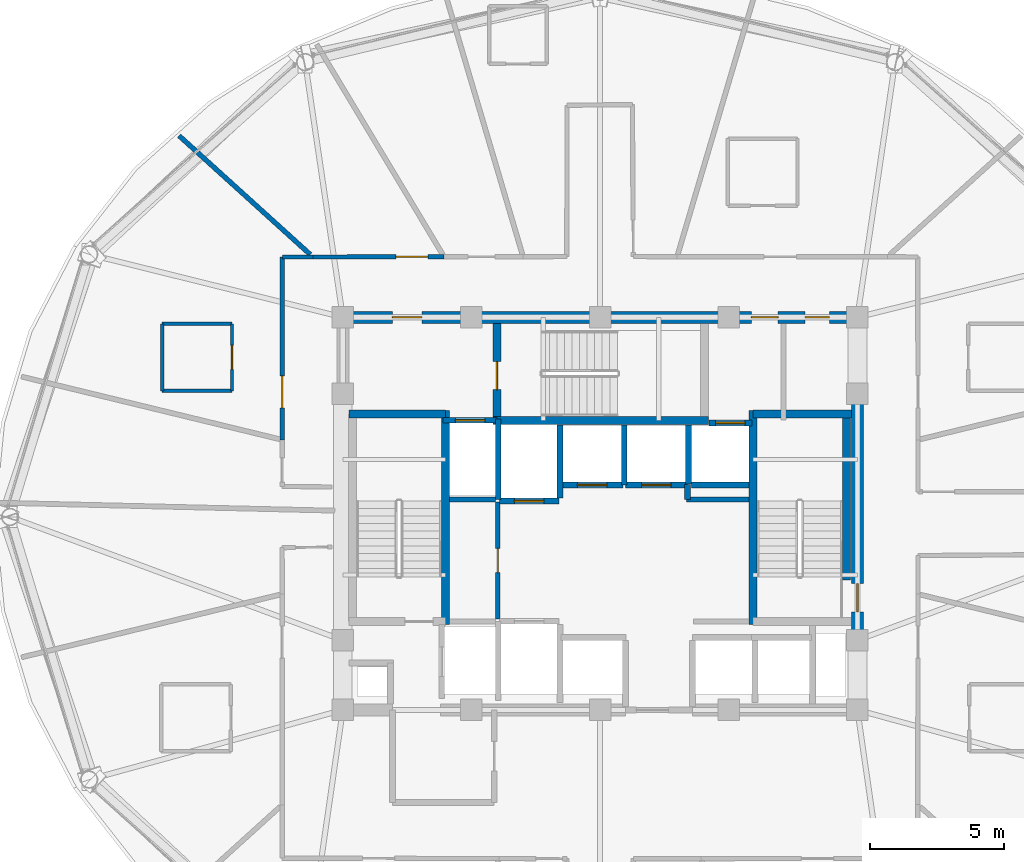
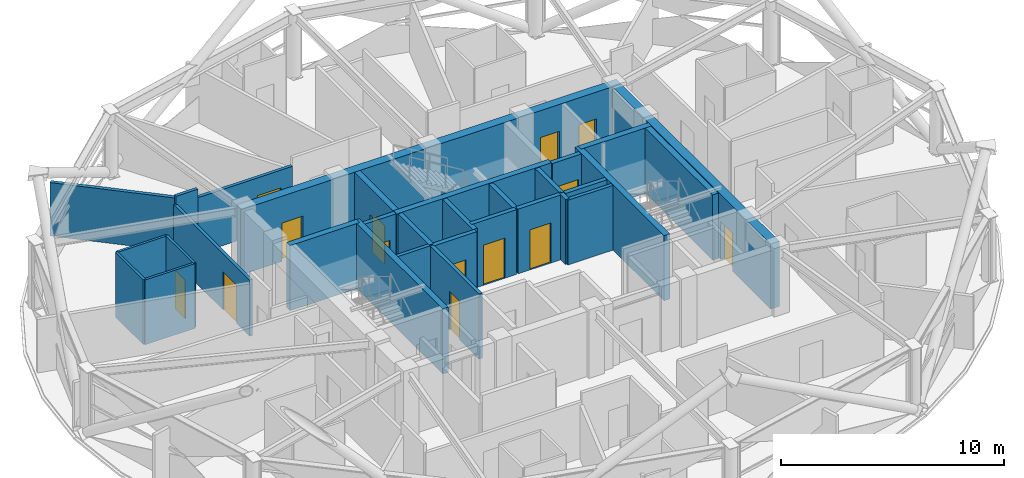
# One storey, part 23 of 29: 31 walls, 14 doors, 14 openings.
"""IFC4 building model written with IfcOpenShell, lengths in metres."""

from ifc_helpers import new_model, si_unit, direction, frame, frame_2d, origin, place, context, subcontext, project, spatial, rectangle, extrude, material, layer, layer_set, type_object, element, fill, save


model = new_model("IFC4")

# Units and contexts
model_context = context("Model", 3, precision=1e-05, world=origin(), true_north=direction((0.0, 1.0)))
body_context = subcontext(model_context, "Body", "Model", "MODEL_VIEW")
ifc_project = project(units=[si_unit("LENGTHUNIT", "METRE"), si_unit("AREAUNIT", "SQUARE_METRE"), si_unit("VOLUMEUNIT", "CUBIC_METRE"), si_unit("PLANEANGLEUNIT", "RADIAN"), si_unit("MASSUNIT", "GRAM", prefix="KILO")], contexts=[model_context])

# Site, building, storey
site_placement = place(None, origin())
site = spatial("IfcSite", under=ifc_project, at=site_placement, CompositionType="ELEMENT")
building_placement = place(site_placement, origin())
building = spatial("IfcBuilding", under=site, at=building_placement, Name="Vantalir Tower", CompositionType="ELEMENT")
storey_placement = place(building_placement, frame((0.0, 0.0, 227.39990234375)))
storey = spatial("IfcBuildingStorey", under=building, at=storey_placement, Name="L57", CompositionType="ELEMENT", Elevation=227.39990234375)

# Walls
ifc_material_1 = material(Name="Moisture-resistant en-suite partition", Category="gypsum")
ifc_layer_1 = layer(ifc_material_1, 0.125)
ifc_layer_set_1 = layer_set([ifc_layer_1], Name="Moisture-resistant en-suite partition")
wall_type_1 = type_object("IfcWallType", Name="WL-BATH-125", PredefinedType="PARTITIONING", material=ifc_layer_set_1)
for number, where, z_axis, x_axis, name in (
    (1, (15.1630859375, 29.7041015625, 0.0), (0.0, 0.0, 1.0), (1.0, 0.0, 0.0), "L57 En-suite 06 South Wall"),
    (2, (15.1630859375, 32.2041015625, 0.0), (0.0, 0.0, 1.0), (1.0, 0.0, 0.0), "L57 En-suite 06 North Wall"),
):
    element("IfcWall", number, at=place(storey_placement, frame(where, z_axis=z_axis, x_axis=x_axis)), inside=storey, type_object=wall_type_1, Name=name, PredefinedType="PARTITIONING", context=body_context, shape_type="SweptSolid", body=[
        extrude(rectangle(XDim=2.599853515625, YDim=0.125, at=frame_2d((1.2998046875, 0.0))), origin(), (0.0, 0.0, 1.0), 3.550048828125),
    ])
wall_1_placement = place(storey_placement, frame((15.1630859375, 29.7041015625, 0.0), z_axis=(0.0, 0.0, 1.0), x_axis=(0.0, 1.0, 0.0)))
element("IfcWall", 3, at=wall_1_placement, inside=storey, type_object=wall_type_1, Name="L57 En-suite 06 West Wall", PredefinedType="PARTITIONING", context=body_context, shape_type="SweptSolid", body=[
    extrude(rectangle(XDim=2.5, YDim=0.125, at=frame_2d((1.25, 0.0))), origin(), (0.0, 0.0, 1.0), 3.550048828125),
])

# Wall, opening, door
wall_2_placement = place(storey_placement, frame((17.762939453125, 29.7041015625, 0.0), z_axis=(0.0, 0.0, 1.0), x_axis=(0.0, 1.0, 0.0)))
wall_2 = element("IfcWall", 4, at=wall_2_placement, inside=storey, type_object=wall_type_1, Name="L57 En-suite 06 East Wall", PredefinedType="PARTITIONING", context=body_context, shape_type="SweptSolid", body=[
    extrude(rectangle(XDim=2.5, YDim=0.125, at=frame_2d((1.25, 0.0))), origin(), (0.0, 0.0, 1.0), 3.550048828125),
])
opening_1_placement = place(wall_2_placement, frame((0.800048828125, 0.0, 0.0)))
opening_1 = element("IfcOpeningElement", 5, at=opening_1_placement, cuts=wall_2, Name="Opening D-WC", PredefinedType="OPENING", context=body_context, shape_type="SweptSolid", body=[
    extrude(rectangle(XDim=0.89990234375, YDim=2.10009765625, at=frame_2d((0.449951171875, 1.050048828125))), frame((0.0, 0.072509765625, 0.0), z_axis=(0.0, -1.0, 0.0), x_axis=(1.0, 0.0, 0.0)), (0.0, 0.0, 1.0), 0.14501953125),
])
ifc_material_2 = material(Name="Moisture-resistant hardwood door", Category="wood")
door_type_1 = type_object("IfcDoorType", Name="DR-ENSUITE-900", OperationType="NOTDEFINED", PredefinedType="DOOR", material=ifc_material_2)
door_1_placement = place(opening_1_placement, origin())
door_1 = element("IfcDoor", 6, at=door_1_placement, inside=storey, type_object=door_type_1, Name="L57 En-suite 06 Door", OperationType="SINGLE_SWING_RIGHT", OverallHeight=2.10009765625, OverallWidth=0.89990234375, PredefinedType="DOOR", context=body_context, shape_type="SweptSolid", body=[
    extrude(rectangle(XDim=0.89990234375, YDim=2.10009765625, at=frame_2d((0.449951171875, 1.050048828125))), frame((0.0, 0.02490234375, 0.0), z_axis=(0.0, -1.0, 0.0), x_axis=(1.0, 0.0, 0.0)), (0.0, 0.0, 1.0), 0.050048828125),
])
fill(opening_1, door_1)

# Wall, openings, doors
ifc_material_3 = material(Name="Concrete C50/60", Category="concrete")
ifc_layer_2 = layer(ifc_material_3, 0.449951171875)
ifc_layer_set_2 = layer_set([ifc_layer_2], Name="Concrete C50/60")
wall_type_2 = type_object("IfcWallType", Name="WL-CORE-450", PredefinedType="SHEAR", material=ifc_layer_set_2)
wall_3_placement = place(storey_placement, frame((21.675048828125, 32.449951171875, 0.0), z_axis=(0.0, 0.0, 1.0), x_axis=(1.0, 0.0, 0.0)))
wall_3 = element("IfcWall", 7, at=wall_3_placement, inside=storey, type_object=wall_type_2, Name="L57 Core Shear Wall North", PredefinedType="SHEAR", context=body_context, shape_type="SweptSolid", body=[
    extrude(rectangle(XDim=19.64990234375, YDim=0.449951171875, at=frame_2d((9.824951171875, 0.0))), origin(), (0.0, 0.0, 1.0), 3.570068359375),
])
opening_2_placement = place(wall_3_placement, frame((2.074951171875, 0.0, 0.0)))
opening_2 = element("IfcOpeningElement", 8, at=opening_2_placement, cuts=wall_3, Name="Opening D-FFL", PredefinedType="OPENING", context=body_context, shape_type="SweptSolid", body=[
    extrude(rectangle(XDim=1.10009765625, YDim=2.10009765625, at=frame_2d((0.550048828125, 1.050048828125))), frame((0.0, 0.23486328125, 0.0), z_axis=(0.0, -1.0, 0.0), x_axis=(1.0, 0.0, 0.0)), (0.0, 0.0, 1.0), 0.469970703125),
])
opening_3_placement = place(wall_3_placement, frame((15.465087890625, 0.0, 0.0)))
opening_3 = element("IfcOpeningElement", 9, at=opening_3_placement, cuts=wall_3, Name="Opening D-GUEST", PredefinedType="OPENING", context=body_context, shape_type="SweptSolid", body=[
    extrude(rectangle(XDim=1.0, YDim=2.10009765625, at=frame_2d((0.5, 1.050048828125))), frame((0.0, 0.23486328125, 0.0), z_axis=(0.0, -1.0, 0.0), x_axis=(1.0, 0.0, 0.0)), (0.0, 0.0, 1.0), 0.469970703125),
])
opening_4_placement = place(wall_3_placement, frame((17.47509765625, 0.0, 0.0)))
opening_4 = element("IfcOpeningElement", 10, at=opening_4_placement, cuts=wall_3, Name="Opening D-CR", PredefinedType="OPENING", context=body_context, shape_type="SweptSolid", body=[
    extrude(rectangle(XDim=0.89990234375, YDim=2.10009765625, at=frame_2d((0.449951171875, 1.050048828125))), frame((0.0, 0.23486328125, 0.0), z_axis=(0.0, -1.0, 0.0), x_axis=(1.0, 0.0, 0.0)), (0.0, 0.0, 1.0), 0.469970703125),
])
ifc_material_4 = material(Name="Fire-rated steel core service door", Category="steel")
door_type_2 = type_object("IfcDoorType", Name="DR-CORE-SERV-900", OperationType="NOTDEFINED", PredefinedType="DOOR", material=ifc_material_4)
door_2_placement = place(opening_4_placement, frame((0.89990234375, 0.0, 0.0), z_axis=(0.0, 0.0, 1.0), x_axis=(-1.0, 0.0, 0.0)))
door_2 = element("IfcDoor", 11, at=door_2_placement, inside=storey, type_object=door_type_2, Name="L57 Housekeeping and Linen Room Door", OperationType="SINGLE_SWING_RIGHT", OverallHeight=2.10009765625, OverallWidth=0.89990234375, PredefinedType="DOOR", context=body_context, shape_type="SweptSolid", body=[
    extrude(rectangle(XDim=0.89990234375, YDim=2.10009765625, at=frame_2d((0.449951171875, 1.050048828125))), frame((0.0, 0.02490234375, 0.0), z_axis=(0.0, -1.0, 0.0), x_axis=(1.0, 0.0, 0.0)), (0.0, 0.0, 1.0), 0.050048828125),
])
fill(opening_4, door_2)
ifc_material_5 = material(Name="Fire-rated acoustic steel door", Category="steel")
door_type_3 = type_object("IfcDoorType", Name="DR-FIRE-LOBBY-1100", OperationType="NOTDEFINED", PredefinedType="DOOR", material=ifc_material_5)
door_3_placement = place(opening_2_placement, frame((1.10009765625, 0.0, 0.0), z_axis=(0.0, 0.0, 1.0), x_axis=(-1.0, 0.0, 0.0)))
door_3 = element("IfcDoor", 12, at=door_3_placement, inside=storey, type_object=door_type_3, Name="L57 Firefighting Lobby East Access Door", OperationType="SINGLE_SWING_LEFT", OverallHeight=2.10009765625, OverallWidth=1.10009765625, PredefinedType="DOOR", context=body_context, shape_type="SweptSolid", body=[
    extrude(rectangle(XDim=1.10009765625, YDim=2.10009765625, at=frame_2d((0.550048828125, 1.050048828125))), frame((0.0, 0.02490234375, 0.0), z_axis=(0.0, -1.0, 0.0), x_axis=(1.0, 0.0, 0.0)), (0.0, 0.0, 1.0), 0.050048828125),
])
fill(opening_2, door_3)
ifc_material_6 = material(Name="Solid-core teak veneer acoustic fire door", Category="wood")
door_type_4 = type_object("IfcDoorType", Name="DR-GUEST-ENTRY-1000", OperationType="NOTDEFINED", PredefinedType="DOOR", material=ifc_material_6)
door_4_placement = place(opening_3_placement, frame((1.0, 0.0, 0.0), z_axis=(0.0, 0.0, 1.0), x_axis=(-1.0, 0.0, 0.0)))
door_4 = element("IfcDoor", 13, at=door_4_placement, inside=storey, type_object=door_type_4, Name="L57 High-Rise Lift Lobby Door", OperationType="SINGLE_SWING_LEFT", OverallHeight=2.10009765625, OverallWidth=1.0, PredefinedType="DOOR", context=body_context, shape_type="SweptSolid", body=[
    extrude(rectangle(XDim=1.0, YDim=2.10009765625, at=frame_2d((0.5, 1.050048828125))), frame((0.0, 0.02490234375, 0.0), z_axis=(0.0, -1.0, 0.0), x_axis=(1.0, 0.0, 0.0)), (0.0, 0.0, 1.0), 0.050048828125),
])
fill(opening_3, door_4)

# Wall, opening, door
wall_4_placement = place(storey_placement, frame((41.10009765625, 18.02490234375, 0.0), z_axis=(0.0, 0.0, 1.0), x_axis=(0.0, 1.0, 0.0)))
wall_4 = element("IfcWall", 14, at=wall_4_placement, inside=storey, type_object=wall_type_2, Name="L57 Core Shear Wall East", PredefinedType="SHEAR", context=body_context, shape_type="SweptSolid", body=[
    extrude(rectangle(XDim=14.2001953125, YDim=0.449951171875, at=frame_2d((7.10009765625, 0.0))), origin(), (0.0, 0.0, 1.0), 3.570068359375),
])
opening_5_placement = place(wall_4_placement, frame((3.43505859375, 0.0, 0.0)))
opening_5 = element("IfcOpeningElement", 15, at=opening_5_placement, cuts=wall_4, Name="Opening D-ST", PredefinedType="OPENING", context=body_context, shape_type="SweptSolid", body=[
    extrude(rectangle(XDim=1.050048828125, YDim=2.10009765625, at=frame_2d((0.52490234375, 1.050048828125))), frame((0.0, 0.23486328125, 0.0), z_axis=(0.0, -1.0, 0.0), x_axis=(1.0, 0.0, 0.0)), (0.0, 0.0, 1.0), 0.469970703125),
])
ifc_material_7 = material(Name="Fire-rated steel door leaf", Category="steel")
door_type_5 = type_object("IfcDoorType", Name="DR-FIRE-STAIR-1050", OperationType="NOTDEFINED", PredefinedType="DOOR", material=ifc_material_7)
door_5_placement = place(opening_5_placement, origin())
door_5 = element("IfcDoor", 16, at=door_5_placement, inside=storey, type_object=door_type_5, Name="L57 Exit Stair ST2 Fire Door", OperationType="SINGLE_SWING_LEFT", OverallHeight=2.10009765625, OverallWidth=1.050048828125, PredefinedType="DOOR", context=body_context, shape_type="SweptSolid", body=[
    extrude(rectangle(XDim=1.050048828125, YDim=2.10009765625, at=frame_2d((0.52490234375, 1.050048828125))), frame((0.0, 0.02490234375, 0.0), z_axis=(0.0, -1.0, 0.0), x_axis=(1.0, 0.0, 0.0)), (0.0, 0.0, 1.0), 0.050048828125),
])
fill(opening_5, door_5)

ifc_material_8 = material(Name="Fire-rated hotel corridor acoustic partition", Category="gypsum")
ifc_layer_3 = layer(ifc_material_8, 0.159912109375)
ifc_layer_set_3 = layer_set([ifc_layer_3], Name="Fire-rated hotel corridor acoustic partition")
wall_type_3 = type_object("IfcWallType", Name="WL-CORR-160", PredefinedType="PARTITIONING", material=ifc_layer_set_3)
wall_5_placement = place(storey_placement, frame((19.636962890625, 27.8779296875, 0.0), z_axis=(0.0, 0.0, 1.0), x_axis=(0.001037826446, 0.999999461458, 0.0)))
wall_5 = element("IfcWall", 17, at=wall_5_placement, inside=storey, type_object=wall_type_3, Name="L57 Corridor Partition 03", PredefinedType="PARTITIONING", context=body_context, shape_type="SweptSolid", body=[
    extrude(rectangle(XDim=6.822021484375, YDim=0.159912109375, at=frame_2d((3.4111328125, 0.0))), origin(), (0.0, 0.0, 1.0), 3.0810546875),
])
opening_6_placement = place(wall_5_placement, frame((1.19091796875, 0.0, 0.0)))
opening_6 = element("IfcOpeningElement", 18, at=opening_6_placement, cuts=wall_5, Name="Opening D-STE", PredefinedType="OPENING", context=body_context, shape_type="SweptSolid", body=[
    extrude(rectangle(XDim=1.199951171875, YDim=2.10009765625, at=frame_2d((0.60009765625, 1.050048828125))), frame((0.0, 0.08984375, 0.0), z_axis=(0.0, -1.0, 0.0), x_axis=(1.0, 0.0, 0.0)), (0.0, 0.0, 1.0), 0.179931640625),
])
ifc_material_9 = material(Name="Solid-core teak veneer suite entrance door", Category="wood")
door_type_6 = type_object("IfcDoorType", Name="DR-SUITE-ENTRY-1200", OperationType="NOTDEFINED", PredefinedType="DOOR", material=ifc_material_9)
door_6_placement = place(opening_6_placement, origin())
door_6 = element("IfcDoor", 19, at=door_6_placement, inside=storey, type_object=door_type_6, Name="L57 Corner Panorama Hotel Suite 06 Door", OperationType="SINGLE_SWING_RIGHT", OverallHeight=2.10009765625, OverallWidth=1.199951171875, PredefinedType="DOOR", context=body_context, shape_type="SweptSolid", body=[
    extrude(rectangle(XDim=1.199951171875, YDim=2.10009765625, at=frame_2d((0.60009765625, 1.050048828125))), frame((0.0, 0.02490234375, 0.0), z_axis=(0.0, -1.0, 0.0), x_axis=(1.0, 0.0, 0.0)), (0.0, 0.0, 1.0), 0.050048828125),
])
fill(opening_6, door_6)

# Wall
wall_6_placement = place(storey_placement, frame((19.64404296875, 34.699951171875, 0.0), z_axis=(0.0, 0.0, 1.0), x_axis=(0.999998534596, 0.001711959828, 0.0)))
element("IfcWall", 20, at=wall_6_placement, inside=storey, type_object=wall_type_3, Name="L57 Corridor Partition 04", PredefinedType="PARTITIONING", context=body_context, shape_type="SweptSolid", body=[
    extrude(rectangle(XDim=1.140869140625, YDim=0.159912109375, at=frame_2d((0.5703125, 0.0))), origin(), (0.0, 0.0, 1.0), 3.550048828125),
])

# Wall, opening, door
wall_7_placement = place(storey_placement, frame((20.784912109375, 34.701904296875, 0.0), z_axis=(0.0, 0.0, 1.0), x_axis=(0.999998953153, 0.001446959866, 0.0)))
wall_7 = element("IfcWall", 21, at=wall_7_placement, inside=storey, type_object=wall_type_3, Name="L57 Corridor Partition 05", PredefinedType="PARTITIONING", context=body_context, shape_type="SweptSolid", body=[
    extrude(rectangle(XDim=4.89306640625, YDim=0.159912109375, at=frame_2d((2.446533203125, 0.0))), origin(), (0.0, 0.0, 1.0), 3.0810546875),
])
opening_7_placement = place(wall_7_placement, frame((3.093017578125, 0.0, 0.0)))
opening_7 = element("IfcOpeningElement", 22, at=opening_7_placement, cuts=wall_7, Name="Opening D-STE", PredefinedType="OPENING", context=body_context, shape_type="SweptSolid", body=[
    extrude(rectangle(XDim=1.199951171875, YDim=2.10009765625, at=frame_2d((0.60009765625, 1.050048828125))), frame((0.0, 0.08984375, 0.0), z_axis=(0.0, -1.0, 0.0), x_axis=(1.0, 0.0, 0.0)), (0.0, 0.0, 1.0), 0.179931640625),
])
door_7_placement = place(opening_7_placement, origin())
door_7 = element("IfcDoor", 23, at=door_7_placement, inside=storey, type_object=door_type_6, Name="L57 Club Reading Lounge 05 Door", OperationType="SINGLE_SWING_LEFT", OverallHeight=2.10009765625, OverallWidth=1.199951171875, PredefinedType="DOOR", context=body_context, shape_type="SweptSolid", body=[
    extrude(rectangle(XDim=1.199951171875, YDim=2.10009765625, at=frame_2d((0.60009765625, 1.050048828125))), frame((0.0, 0.02490234375, 0.0), z_axis=(0.0, -1.0, 0.0), x_axis=(1.0, 0.0, 0.0)), (0.0, 0.0, 1.0), 0.050048828125),
])
fill(opening_7, door_7)

# Walls
ifc_material_10 = material(Name="Concrete blockwork with fireboard lining", Category="masonry")
ifc_layer_4 = layer(ifc_material_10, 0.219970703125)
ifc_layer_set_4 = layer_set([ifc_layer_4], Name="Concrete blockwork with fireboard lining")
wall_type_4 = type_object("IfcWallType", Name="WL-FFL-220", PredefinedType="PARTITIONING", material=ifc_layer_set_4)
wall_8_placement = place(storey_placement, frame((30.0, 25.7099609375, 0.0), z_axis=(0.0, 0.0, 1.0), x_axis=(0.0, 1.0, 0.0)))
element("IfcWall", 24, at=wall_8_placement, inside=storey, type_object=wall_type_4, Name="L57 Service Lift SV2 East Shaft Wall", PredefinedType="PARTITIONING", context=body_context, shape_type="SweptSolid", body=[
    extrude(rectangle(XDim=2.72998046875, YDim=0.219970703125, at=frame_2d((1.364990234375, 0.0))), origin(), (0.0, 0.0, 1.0), 3.545166015625),
])
wall_9_placement = place(storey_placement, frame((32.39990234375, 26.199951171875, 0.0), z_axis=(0.0, 0.0, 1.0), x_axis=(0.0, 1.0, 0.0)))
element("IfcWall", 25, at=wall_9_placement, inside=storey, type_object=wall_type_4, Name="L57 High-Rise Lift PL-H1/H2 Shaft Divider", PredefinedType="PARTITIONING", context=body_context, shape_type="SweptSolid", body=[
    extrude(rectangle(XDim=2.239990234375, YDim=0.219970703125, at=frame_2d((1.1201171875, 0.0))), origin(), (0.0, 0.0, 1.0), 3.545166015625),
])
wall_10_placement = place(storey_placement, frame((34.800048828125, 26.22998046875, 0.0), z_axis=(0.0, 0.0, 1.0), x_axis=(0.0, 1.0, 0.0)))
element("IfcWall", 26, at=wall_10_placement, inside=storey, type_object=wall_type_4, Name="L57 High-Rise Lift PL-H2/H3 Shaft Divider", PredefinedType="PARTITIONING", context=body_context, shape_type="SweptSolid", body=[
    extrude(rectangle(XDim=2.2099609375, YDim=0.219970703125, at=frame_2d((1.10498046875, 0.0))), origin(), (0.0, 0.0, 1.0), 3.545166015625),
])
wall_11_placement = place(storey_placement, frame((34.909912109375, 26.18994140625, 0.0), z_axis=(0.0, 0.0, 1.0), x_axis=(1.0, 0.0, 0.0)))
element("IfcWall", 27, at=wall_11_placement, inside=storey, type_object=wall_type_4, Name="L57 High-Rise Lift PL-H3 Rear Shaft Wall", PredefinedType="PARTITIONING", context=body_context, shape_type="SweptSolid", body=[
    extrude(rectangle(XDim=2.14013671875, YDim=0.219970703125, at=frame_2d((1.070068359375, 0.0))), origin(), (0.0, 0.0, 1.0), 3.545166015625),
])

# Wall, opening, door
wall_12_placement = place(storey_placement, frame((25.639892578125, 28.610107421875, 0.0), z_axis=(0.0, 0.0, 1.0), x_axis=(1.0, 0.0, 0.0)))
wall_12 = element("IfcWall", 28, at=wall_12_placement, inside=storey, type_object=wall_type_4, Name="L57 Lift FL2 Shaft Front Wall", PredefinedType="PARTITIONING", context=body_context, shape_type="SweptSolid", body=[
    extrude(rectangle(XDim=2.02001953125, YDim=0.219970703125, at=frame_2d((1.010009765625, 0.0))), origin(), (0.0, 0.0, 1.0), 3.550048828125),
])
opening_8_placement = place(wall_12_placement, frame((0.4599609375, 0.0, 0.0)))
opening_8 = element("IfcOpeningElement", 29, at=opening_8_placement, cuts=wall_12, Name="Opening LD-FL2", PredefinedType="OPENING", context=body_context, shape_type="SweptSolid", body=[
    extrude(rectangle(XDim=1.10009765625, YDim=2.199951171875, at=frame_2d((0.550048828125, 1.10009765625))), frame((0.0, 0.119873046875, 0.0), z_axis=(0.0, -1.0, 0.0), x_axis=(1.0, 0.0, 0.0)), (0.0, 0.0, 1.0), 0.239990234375),
])
ifc_material_11 = material(Name="Brushed stainless-steel sliding lift landing door", Category="steel")
door_type_7 = type_object("IfcDoorType", Name="DR-LIFT-LANDING-1100", OperationType="DOUBLE_DOOR_SLIDING", PredefinedType="DOOR", material=ifc_material_11)
door_8_placement = place(opening_8_placement, origin())
door_8 = element("IfcDoor", 30, at=door_8_placement, inside=storey, type_object=door_type_7, Name="L57 Lift Landing Door FL2", OperationType="DOUBLE_DOOR_SLIDING", OverallHeight=2.199951171875, OverallWidth=1.10009765625, PredefinedType="DOOR", context=body_context, shape_type="SweptSolid", body=[
    extrude(rectangle(XDim=1.10009765625, YDim=2.199951171875, at=frame_2d((0.550048828125, 1.10009765625))), frame((0.0, 0.02490234375, 0.0), z_axis=(0.0, -1.0, 0.0), x_axis=(1.0, 0.0, 0.0)), (0.0, 0.0, 1.0), 0.050048828125),
])
fill(opening_8, door_8)

wall_13_placement = place(storey_placement, frame((27.739990234375, 25.590087890625, 0.0), z_axis=(0.0, 0.0, 1.0), x_axis=(1.0, 0.0, 0.0)))
wall_13 = element("IfcWall", 31, at=wall_13_placement, inside=storey, type_object=wall_type_4, Name="L57 Lift SV2 Shaft Front Wall", PredefinedType="PARTITIONING", context=body_context, shape_type="SweptSolid", body=[
    extrude(rectangle(XDim=2.219970703125, YDim=0.219970703125, at=frame_2d((1.10986328125, 0.0))), origin(), (0.0, 0.0, 1.0), 3.550048828125),
])
opening_9_placement = place(wall_13_placement, frame((0.56005859375, 0.0, 0.0)))
opening_9 = element("IfcOpeningElement", 32, at=opening_9_placement, cuts=wall_13, Name="Opening LD-SV2", PredefinedType="OPENING", context=body_context, shape_type="SweptSolid", body=[
    extrude(rectangle(XDim=1.10009765625, YDim=2.199951171875, at=frame_2d((0.550048828125, 1.10009765625))), frame((0.0, 0.119873046875, 0.0), z_axis=(0.0, -1.0, 0.0), x_axis=(1.0, 0.0, 0.0)), (0.0, 0.0, 1.0), 0.239990234375),
])
door_9_placement = place(opening_9_placement, frame((1.10009765625, 0.0, 0.0), z_axis=(0.0, 0.0, 1.0), x_axis=(-1.0, 0.0, 0.0)))
door_9 = element("IfcDoor", 33, at=door_9_placement, inside=storey, type_object=door_type_7, Name="L57 Lift Landing Door SV2", OperationType="DOUBLE_DOOR_SLIDING", OverallHeight=2.199951171875, OverallWidth=1.10009765625, PredefinedType="DOOR", context=body_context, shape_type="SweptSolid", body=[
    extrude(rectangle(XDim=1.10009765625, YDim=2.199951171875, at=frame_2d((0.550048828125, 1.10009765625))), frame((0.0, 0.02490234375, 0.0), z_axis=(0.0, -1.0, 0.0), x_axis=(1.0, 0.0, 0.0)), (0.0, 0.0, 1.0), 0.050048828125),
])
fill(opening_9, door_9)

wall_14_placement = place(storey_placement, frame((30.0400390625, 26.18994140625, 0.0), z_axis=(0.0, 0.0, 1.0), x_axis=(1.0, 0.0, 0.0)))
wall_14 = element("IfcWall", 34, at=wall_14_placement, inside=storey, type_object=wall_type_4, Name="L57 Lift PL-H1 Shaft Front Wall", PredefinedType="PARTITIONING", context=body_context, shape_type="SweptSolid", body=[
    extrude(rectangle(XDim=2.320068359375, YDim=0.219970703125, at=frame_2d((1.16015625, 0.0))), origin(), (0.0, 0.0, 1.0), 3.550048828125),
])
opening_10_placement = place(wall_14_placement, frame((0.610107421875, 0.0, 0.0)))
opening_10 = element("IfcOpeningElement", 35, at=opening_10_placement, cuts=wall_14, Name="Opening LD-PL-H1", PredefinedType="OPENING", context=body_context, shape_type="SweptSolid", body=[
    extrude(rectangle(XDim=1.10009765625, YDim=2.199951171875, at=frame_2d((0.550048828125, 1.10009765625))), frame((0.0, 0.119873046875, 0.0), z_axis=(0.0, -1.0, 0.0), x_axis=(1.0, 0.0, 0.0)), (0.0, 0.0, 1.0), 0.239990234375),
])
door_10_placement = place(opening_10_placement, frame((1.10009765625, 0.0, 0.0), z_axis=(0.0, 0.0, 1.0), x_axis=(-1.0, 0.0, 0.0)))
door_10 = element("IfcDoor", 36, at=door_10_placement, inside=storey, type_object=door_type_7, Name="L57 Lift Landing Door PL-H1", OperationType="DOUBLE_DOOR_SLIDING", OverallHeight=2.199951171875, OverallWidth=1.10009765625, PredefinedType="DOOR", context=body_context, shape_type="SweptSolid", body=[
    extrude(rectangle(XDim=1.10009765625, YDim=2.199951171875, at=frame_2d((0.550048828125, 1.10009765625))), frame((0.0, 0.02490234375, 0.0), z_axis=(0.0, -1.0, 0.0), x_axis=(1.0, 0.0, 0.0)), (0.0, 0.0, 1.0), 0.050048828125),
])
fill(opening_10, door_10)

wall_15_placement = place(storey_placement, frame((32.43994140625, 26.18994140625, 0.0), z_axis=(0.0, 0.0, 1.0), x_axis=(1.0, 0.0, 0.0)))
wall_15 = element("IfcWall", 37, at=wall_15_placement, inside=storey, type_object=wall_type_4, Name="L57 Lift PL-H2 Shaft Front Wall", PredefinedType="PARTITIONING", context=body_context, shape_type="SweptSolid", body=[
    extrude(rectangle(XDim=2.320068359375, YDim=0.219970703125, at=frame_2d((1.16015625, 0.0))), origin(), (0.0, 0.0, 1.0), 3.550048828125),
])
opening_11_placement = place(wall_15_placement, frame((0.610107421875, 0.0, 0.0)))
opening_11 = element("IfcOpeningElement", 38, at=opening_11_placement, cuts=wall_15, Name="Opening LD-PL-H2", PredefinedType="OPENING", context=body_context, shape_type="SweptSolid", body=[
    extrude(rectangle(XDim=1.10009765625, YDim=2.199951171875, at=frame_2d((0.550048828125, 1.10009765625))), frame((0.0, 0.119873046875, 0.0), z_axis=(0.0, -1.0, 0.0), x_axis=(1.0, 0.0, 0.0)), (0.0, 0.0, 1.0), 0.239990234375),
])
door_11_placement = place(opening_11_placement, frame((1.10009765625, 0.0, 0.0), z_axis=(0.0, 0.0, 1.0), x_axis=(-1.0, 0.0, 0.0)))
door_11 = element("IfcDoor", 39, at=door_11_placement, inside=storey, type_object=door_type_7, Name="L57 Lift Landing Door PL-H2", OperationType="DOUBLE_DOOR_SLIDING", OverallHeight=2.199951171875, OverallWidth=1.10009765625, PredefinedType="DOOR", context=body_context, shape_type="SweptSolid", body=[
    extrude(rectangle(XDim=1.10009765625, YDim=2.199951171875, at=frame_2d((0.550048828125, 1.10009765625))), frame((0.0, 0.02490234375, 0.0), z_axis=(0.0, -1.0, 0.0), x_axis=(1.0, 0.0, 0.0)), (0.0, 0.0, 1.0), 0.050048828125),
])
fill(opening_11, door_11)

wall_16_placement = place(storey_placement, frame((35.56005859375, 28.510009765625, 0.0), z_axis=(0.0, 0.0, 1.0), x_axis=(1.0, 0.0, 0.0)))
wall_16 = element("IfcWall", 40, at=wall_16_placement, inside=storey, type_object=wall_type_4, Name="L57 Lift PL-H3 Shaft Front Wall", PredefinedType="PARTITIONING", context=body_context, shape_type="SweptSolid", body=[
    extrude(rectangle(XDim=1.599853515625, YDim=0.219970703125, at=frame_2d((0.7998046875, 0.0))), origin(), (0.0, 0.0, 1.0), 3.550048828125),
])
opening_12_placement = place(wall_16_placement, frame((0.25, 0.0, 0.0)))
opening_12 = element("IfcOpeningElement", 41, at=opening_12_placement, cuts=wall_16, Name="Opening LD-PL-H3", PredefinedType="OPENING", context=body_context, shape_type="SweptSolid", body=[
    extrude(rectangle(XDim=1.10009765625, YDim=2.199951171875, at=frame_2d((0.550048828125, 1.10009765625))), frame((0.0, 0.119873046875, 0.0), z_axis=(0.0, -1.0, 0.0), x_axis=(1.0, 0.0, 0.0)), (0.0, 0.0, 1.0), 0.239990234375),
])
door_12_placement = place(opening_12_placement, origin())
door_12 = element("IfcDoor", 42, at=door_12_placement, inside=storey, type_object=door_type_7, Name="L57 Lift Landing Door PL-H3", OperationType="DOUBLE_DOOR_SLIDING", OverallHeight=2.199951171875, OverallWidth=1.10009765625, PredefinedType="DOOR", context=body_context, shape_type="SweptSolid", body=[
    extrude(rectangle(XDim=1.10009765625, YDim=2.199951171875, at=frame_2d((0.550048828125, 1.10009765625))), frame((0.0, 0.02490234375, 0.0), z_axis=(0.0, -1.0, 0.0), x_axis=(1.0, 0.0, 0.0)), (0.0, 0.0, 1.0), 0.050048828125),
])
fill(opening_12, door_12)

# Walls
wall_17_placement = place(storey_placement, frame((27.699951171875, 25.64990234375, 0.0), z_axis=(0.0, 0.0, 1.0), x_axis=(0.0, 1.0, 0.0)))
element("IfcWall", 43, at=wall_17_placement, inside=storey, type_object=wall_type_4, Name="L57 Fire Lift FL2 Dividing Wall", PredefinedType="PARTITIONING", context=body_context, shape_type="SweptSolid", body=[
    extrude(rectangle(XDim=3.0, YDim=0.219970703125, at=frame_2d((1.5, 0.0))), origin(), (0.0, 0.0, 1.0), 3.550048828125),
])
wall_18_placement = place(storey_placement, frame((34.760009765625, 25.64990234375, 0.0), z_axis=(0.0, 0.0, 1.0), x_axis=(0.0, 1.0, 0.0)))
element("IfcWall", 44, at=wall_18_placement, inside=storey, type_object=wall_type_4, Name="L57 High-Rise Shaft Shoulder Wall", PredefinedType="PARTITIONING", context=body_context, shape_type="SweptSolid", body=[
    extrude(rectangle(XDim=0.570068359375, YDim=0.219970703125, at=frame_2d((0.28515625, 0.0))), origin(), (0.0, 0.0, 1.0), 3.550048828125),
])
ifc_material_12 = material(Name="Twin-stud acoustic fire-rated gypsum partition", Category="gypsum")
ifc_layer_5 = layer(ifc_material_12, 0.179931640625)
ifc_layer_set_5 = layer_set([ifc_layer_5], Name="Twin-stud acoustic fire-rated gypsum partition")
wall_type_5 = type_object("IfcWallType", Name="WL-GUEST-180", PredefinedType="PARTITIONING", material=ifc_layer_set_5)
wall_19_placement = place(storey_placement, frame((25.889892578125, 25.64990234375, 0.0), z_axis=(0.0, 0.0, 1.0), x_axis=(1.0, 0.0, 0.0)))
element("IfcWall", 45, at=wall_19_placement, inside=storey, type_object=wall_type_5, Name="L57 Freed West Core North Wall", PredefinedType="PARTITIONING", context=body_context, shape_type="SweptSolid", body=[
    extrude(rectangle(XDim=1.7001953125, YDim=0.179931640625, at=frame_2d((0.85009765625, 0.0))), origin(), (0.0, 0.0, 1.0), 3.550048828125),
])

# Wall, opening, door
wall_20_placement = place(storey_placement, frame((27.679931640625, 21.18994140625, 0.0), z_axis=(0.0, 0.0, 1.0), x_axis=(0.0, 1.0, 0.0)))
wall_20 = element("IfcWall", 46, at=wall_20_placement, inside=storey, type_object=wall_type_5, Name="L57 West Pantry East Wall", PredefinedType="PARTITIONING", context=body_context, shape_type="SweptSolid", body=[
    extrude(rectangle(XDim=4.3701171875, YDim=0.179931640625, at=frame_2d((2.18505859375, 0.0))), origin(), (0.0, 0.0, 1.0), 3.550048828125),
])
opening_13_placement = place(wall_20_placement, frame((1.735107421875, 0.0, 0.0)))
opening_13 = element("IfcOpeningElement", 47, at=opening_13_placement, cuts=wall_20, Name="Opening D-CR", PredefinedType="OPENING", context=body_context, shape_type="SweptSolid", body=[
    extrude(rectangle(XDim=0.89990234375, YDim=2.10009765625, at=frame_2d((0.449951171875, 1.050048828125))), frame((0.0, 0.099853515625, 0.0), z_axis=(0.0, -1.0, 0.0), x_axis=(1.0, 0.0, 0.0)), (0.0, 0.0, 1.0), 0.199951171875),
])
door_13_placement = place(opening_13_placement, origin())
door_13 = element("IfcDoor", 48, at=door_13_placement, inside=storey, type_object=door_type_2, Name="L57 Core Pantry Door", OperationType="SINGLE_SWING_LEFT", OverallHeight=2.10009765625, OverallWidth=0.89990234375, PredefinedType="DOOR", context=body_context, shape_type="SweptSolid", body=[
    extrude(rectangle(XDim=0.89990234375, YDim=2.10009765625, at=frame_2d((0.449951171875, 1.050048828125))), frame((0.0, 0.02490234375, 0.0), z_axis=(0.0, -1.0, 0.0), x_axis=(1.0, 0.0, 0.0)), (0.0, 0.0, 1.0), 0.050048828125),
])
fill(opening_13, door_13)

# Walls
wall_21_placement = place(storey_placement, frame((34.719970703125, 25.64990234375, 0.0), z_axis=(0.0, 0.0, 1.0), x_axis=(1.0, 0.0, 0.0)))
element("IfcWall", 49, at=wall_21_placement, inside=storey, type_object=wall_type_5, Name="L57 Freed East Core North Wall", PredefinedType="PARTITIONING", context=body_context, shape_type="SweptSolid", body=[
    extrude(rectangle(XDim=2.340087890625, YDim=0.179931640625, at=frame_2d((1.169921875, 0.0))), origin(), (0.0, 0.0, 1.0), 3.550048828125),
])
wall_22_placement = place(storey_placement, frame((20.68798828125, 34.7900390625, 0.0), z_axis=(0.0, 0.0, 1.0), x_axis=(-0.74129840932, 0.671175586817, 0.0)))
element("IfcWall", 50, at=wall_22_placement, inside=storey, type_object=wall_type_5, Name="L57 Radial Suite Partition 06", PredefinedType="PARTITIONING", context=body_context, shape_type="SweptSolid", body=[
    extrude(rectangle(XDim=6.604736328125, YDim=0.179931640625, at=frame_2d((3.30224609375, 0.0))), origin(), (0.0, 0.0, 1.0), 2.925048828125),
])
ifc_layer_6 = layer(ifc_material_3, 0.300048828125)
ifc_layer_set_6 = layer_set([ifc_layer_6], Name="Concrete C50/60")
wall_type_6 = type_object("IfcWallType", Name="WL-STAIR-300", PredefinedType="SHEAR", material=ifc_layer_set_6)
wall_23_placement = place(storey_placement, frame((22.125, 28.85009765625, 0.0), z_axis=(0.0, 0.0, 1.0), x_axis=(1.0, 0.0, 0.0)))
element("IfcWall", 51, at=wall_23_placement, inside=storey, type_object=wall_type_6, Name="L57 Stair ST1 North Wall", PredefinedType="SHEAR", context=body_context, shape_type="SweptSolid", body=[
    extrude(rectangle(XDim=3.614990234375, YDim=0.300048828125, at=frame_2d((1.8076171875, 0.0))), origin(), (0.0, 0.0, 1.0), 3.570068359375),
])
wall_24_placement = place(storey_placement, frame((25.739990234375, 20.97998046875, 0.0), z_axis=(0.0, 0.0, 1.0), x_axis=(0.0, 1.0, 0.0)))
element("IfcWall", 52, at=wall_24_placement, inside=storey, type_object=wall_type_6, Name="L57 Stair ST1 East Wall", PredefinedType="SHEAR", context=body_context, shape_type="SweptSolid", body=[
    extrude(rectangle(XDim=7.989990234375, YDim=0.300048828125, at=frame_2d((3.9951171875, 0.0))), origin(), (0.0, 0.0, 1.0), 3.570068359375),
])
wall_25_placement = place(storey_placement, frame((37.2099609375, 28.85009765625, 0.0), z_axis=(0.0, 0.0, 1.0), x_axis=(1.0, 0.0, 0.0)))
element("IfcWall", 53, at=wall_25_placement, inside=storey, type_object=wall_type_6, Name="L57 Stair ST2 North Wall", PredefinedType="SHEAR", context=body_context, shape_type="SweptSolid", body=[
    extrude(rectangle(XDim=3.6650390625, YDim=0.300048828125, at=frame_2d((1.83251953125, 0.0))), origin(), (0.0, 0.0, 1.0), 3.570068359375),
])
wall_26_placement = place(storey_placement, frame((37.2099609375, 20.97998046875, 0.0), z_axis=(0.0, 0.0, 1.0), x_axis=(0.0, 1.0, 0.0)))
element("IfcWall", 54, at=wall_26_placement, inside=storey, type_object=wall_type_6, Name="L57 Stair ST2 West Wall", PredefinedType="SHEAR", context=body_context, shape_type="SweptSolid", body=[
    extrude(rectangle(XDim=7.989990234375, YDim=0.300048828125, at=frame_2d((3.9951171875, 0.0))), origin(), (0.0, 0.0, 1.0), 3.570068359375),
])
wall_27_placement = place(storey_placement, frame((40.68994140625, 22.64990234375, 0.0), z_axis=(0.0, 0.0, 1.0), x_axis=(0.0, 1.0, 0.0)))
element("IfcWall", 55, at=wall_27_placement, inside=storey, type_object=wall_type_6, Name="L57 Stair ST2 East Liner Wall", PredefinedType="SHEAR", context=body_context, shape_type="SweptSolid", body=[
    extrude(rectangle(XDim=6.2001953125, YDim=0.300048828125, at=frame_2d((3.10009765625, 0.0))), origin(), (0.0, 0.0, 1.0), 3.570068359375),
])
wall_28_placement = place(storey_placement, frame((27.510009765625, 28.60009765625, 0.0), z_axis=(0.0, 0.0, 1.0), x_axis=(1.0, 0.0, 0.0)))
element("IfcWall", 56, at=wall_28_placement, inside=storey, type_object=wall_type_6, Name="L57 Stair ST3 South Wall", PredefinedType="SHEAR", context=body_context, shape_type="SweptSolid", body=[
    extrude(rectangle(XDim=8.030029296875, YDim=0.300048828125, at=frame_2d((4.01513671875, 0.0))), origin(), (0.0, 0.0, 1.0), 3.570068359375),
])

# Wall, opening, door
wall_29_placement = place(storey_placement, frame((27.64990234375, 28.75, 0.0), z_axis=(0.0, 0.0, 1.0), x_axis=(0.0, 1.0, 0.0)))
wall_29 = element("IfcWall", 57, at=wall_29_placement, inside=storey, type_object=wall_type_6, Name="L57 Stair ST3 West Wall", PredefinedType="SHEAR", context=body_context, shape_type="SweptSolid", body=[
    extrude(rectangle(XDim=3.47509765625, YDim=0.300048828125, at=frame_2d((1.737548828125, 0.0))), origin(), (0.0, 0.0, 1.0), 3.570068359375),
])
opening_14_placement = place(wall_29_placement, frame((1.0, 0.0, 0.0)))
opening_14 = element("IfcOpeningElement", 58, at=opening_14_placement, cuts=wall_29, Name="Opening D-ST", PredefinedType="OPENING", context=body_context, shape_type="SweptSolid", body=[
    extrude(rectangle(XDim=1.050048828125, YDim=2.10009765625, at=frame_2d((0.52490234375, 1.050048828125))), frame((0.0, 0.159912109375, 0.0), z_axis=(0.0, -1.0, 0.0), x_axis=(1.0, 0.0, 0.0)), (0.0, 0.0, 1.0), 0.320068359375),
])
door_14_placement = place(opening_14_placement, frame((1.050048828125, 0.0, 0.0), z_axis=(0.0, 0.0, 1.0), x_axis=(-1.0, 0.0, 0.0)))
door_14 = element("IfcDoor", 59, at=door_14_placement, inside=storey, type_object=door_type_5, Name="L57 Exit Stair ST3 Fire Door", OperationType="SINGLE_SWING_RIGHT", OverallHeight=2.10009765625, OverallWidth=1.050048828125, PredefinedType="DOOR", context=body_context, shape_type="SweptSolid", body=[
    extrude(rectangle(XDim=1.050048828125, YDim=2.10009765625, at=frame_2d((0.52490234375, 1.050048828125))), frame((0.0, 0.02490234375, 0.0), z_axis=(0.0, -1.0, 0.0), x_axis=(1.0, 0.0, 0.0)), (0.0, 0.0, 1.0), 0.050048828125),
])
fill(opening_14, door_14)

save(model, "model.ifc")
